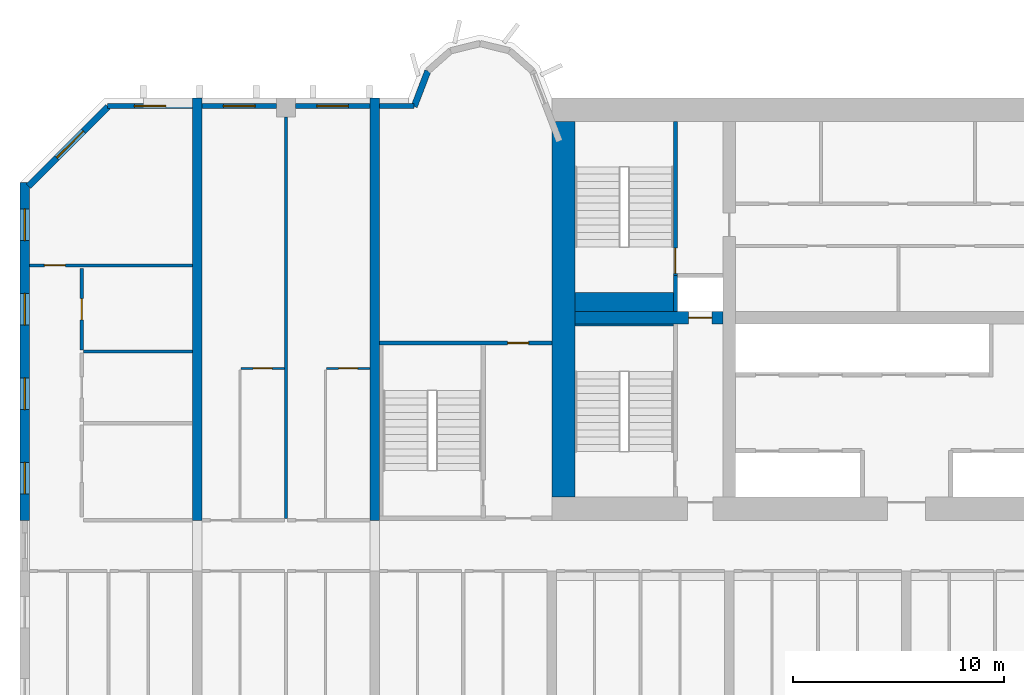
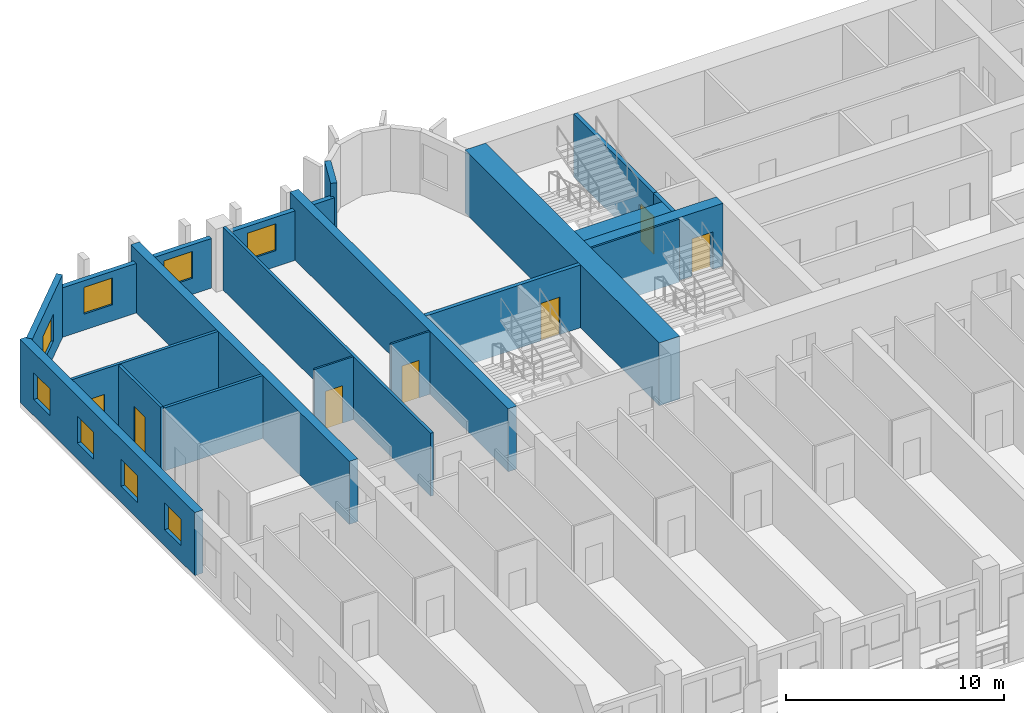
# One storey, part 6 of 14: 22 walls, 8 windows, 7 doors, 15 openings.
"""IFC4 building model written with IfcOpenShell, lengths in metres."""

from ifc_helpers import new_model, si_unit, direction, frame, frame_2d, origin, place, context, subcontext, project, spatial, rectangle, extrude, source, transform, mapped, material, layer, layer_set, type_object, element, fill, save


model = new_model("IFC4")

# Units and contexts
model_context = context("Model", 3, precision=1e-05, world=origin(), true_north=direction((0.0, 1.0)))
body_context = subcontext(model_context, "Body", "Model", "MODEL_VIEW")
ifc_project = project(units=[si_unit("LENGTHUNIT", "METRE"), si_unit("AREAUNIT", "SQUARE_METRE"), si_unit("VOLUMEUNIT", "CUBIC_METRE"), si_unit("PLANEANGLEUNIT", "RADIAN"), si_unit("MASSUNIT", "GRAM", prefix="KILO")], contexts=[model_context])

# Site, building, storey
site_placement = place(None, origin())
site = spatial("IfcSite", under=ifc_project, at=site_placement, CompositionType="ELEMENT")
building_placement = place(site_placement, origin())
building = spatial("IfcBuilding", under=site, at=building_placement, Name="Vanashikhar Sky Hotel", CompositionType="ELEMENT")
storey_placement = place(building_placement, frame((0.0, 0.0, 27.800048828125)))
storey = spatial("IfcBuildingStorey", under=building, at=storey_placement, Name="L05", CompositionType="ELEMENT", Elevation=27.800048828125)

# Wall
ifc_material_1 = material(Name="Concrete M80", Category="concrete")
ifc_layer_1 = layer(ifc_material_1, 1.10009765625)
ifc_layer_set_1 = layer_set([ifc_layer_1], Name="RC core shell wall 1100 Concrete M80")
wall_type_1 = type_object("IfcWallType", Name="RC core shell wall 1100 Concrete M80", PredefinedType="SHEAR", material=ifc_layer_set_1)
shared_shape_1 = source(origin(), body_context, "Body", "SweptSolid", [
    extrude(rectangle(XDim=17.7998046875, YDim=1.10009765625, at=frame_2d((8.89990234375, 0.0))), origin(), (0.0, 0.0, 1.0), 3.52001953125),
])
wall_1_placement = place(storey_placement, frame((25.75, 23.10009765625, 0.0), z_axis=(0.0, 0.0, 1.0), x_axis=(0.0, 1.0, 0.0)))
element("IfcWall", 1, at=wall_1_placement, inside=storey, type_object=wall_type_1, Name="KW-L05-KW", PredefinedType="SHEAR", context=body_context, shape_type="MappedRepresentation", body=[
    mapped(shared_shape_1, transform((0.0, 0.0, 0.0), scale=1.0)),
])

# Wall, opening, door
ifc_layer_2 = layer(ifc_material_1, 0.60009765625)
ifc_layer_set_2 = layer_set([ifc_layer_2], Name="RC core inner wall 600 Concrete M80")
wall_type_2 = type_object("IfcWallType", Name="RC core inner wall 600 Concrete M80", PredefinedType="SHEAR", material=ifc_layer_set_2)
shared_shape_2 = source(origin(), body_context, "Body", "SweptSolid", [
    extrude(rectangle(XDim=7.0, YDim=0.60009765625, at=frame_2d((3.5, 0.0))), origin(), (0.0, 0.0, 1.0), 3.52001953125),
])
wall_2_placement = place(storey_placement, frame((26.300048828125, 31.60009765625, 0.0), z_axis=(0.0, 0.0, 1.0), x_axis=(1.0, 0.0, 0.0)))
wall_2 = element("IfcWall", 2, at=wall_2_placement, inside=storey, type_object=wall_type_2, Name="KW-L05-KY1", PredefinedType="SHEAR", context=body_context, shape_type="MappedRepresentation", body=[
    mapped(shared_shape_2, transform((0.0, 0.0, 0.0), scale=1.0)),
])
shared_shape_3 = source(origin(), body_context, "Body", "SweptSolid", [
    extrude(rectangle(XDim=1.10009765625, YDim=2.10009765625, at=frame_2d((0.550048828125, 1.050048828125))), frame((0.0, 0.31005859375, 0.0), z_axis=(0.0, -1.0, 0.0), x_axis=(1.0, 0.0, 0.0)), (0.0, 0.0, 1.0), 0.6201171875),
])
opening_1_placement = place(wall_2_placement, frame((5.375, 0.0, 0.0)))
opening_1 = element("IfcOpeningElement", 3, at=opening_1_placement, cuts=wall_2, Name="Opening LD", PredefinedType="OPENING", context=body_context, shape_type="MappedRepresentation", body=[
    mapped(shared_shape_3, transform((0.0, 0.0, 0.0), scale=1.0)),
])
ifc_material_2 = material(Name="Stainless steel", Category="steel")
door_type_1 = type_object("IfcDoorType", Name="Lift landing door 1100", OperationType="NOTDEFINED", PredefinedType="DOOR", material=ifc_material_2)
shared_shape_4 = source(origin(), body_context, "Body", "SweptSolid", [
    extrude(rectangle(XDim=1.10009765625, YDim=2.10009765625, at=frame_2d((0.550048828125, 1.050048828125))), frame((0.0, 0.02490234375, 0.0), z_axis=(0.0, -1.0, 0.0), x_axis=(1.0, 0.0, 0.0)), (0.0, 0.0, 1.0), 0.050048828125),
])
door_1_placement = place(opening_1_placement, origin())
door_1 = element("IfcDoor", 4, at=door_1_placement, inside=storey, type_object=door_type_1, Name="Lift landing door 1100", OperationType="SLIDING_TO_RIGHT", OverallHeight=2.10009765625, OverallWidth=1.10009765625, PredefinedType="DOOR", context=body_context, shape_type="MappedRepresentation", body=[
    mapped(shared_shape_4, transform((0.0, 0.0, 0.0), scale=1.0)),
])
fill(opening_1, door_1)

# Wall, openings, windows
ifc_layer_3 = layer(ifc_material_1, 0.449951171875)
ifc_layer_set_3 = layer_set([ifc_layer_3], Name="RC shear wall 450 Concrete M80")
wall_type_3 = type_object("IfcWallType", Name="RC shear wall 450 Concrete M80", PredefinedType="SHEAR", material=ifc_layer_set_3)
shared_shape_5 = source(origin(), body_context, "Body", "SweptSolid", [
    extrude(rectangle(XDim=16.0, YDim=0.449951171875, at=frame_2d((8.0, 0.0))), origin(), (0.0, 0.0, 1.0), 3.52001953125),
])
wall_3_placement = place(storey_placement, frame((0.22509765625, 22.0, 0.0), z_axis=(0.0, 0.0, 1.0), x_axis=(0.0, 1.0, 0.0)))
wall_3 = element("IfcWall", 5, at=wall_3_placement, inside=storey, type_object=wall_type_3, Name="CW-L05-XW01-2", PredefinedType="SHEAR", context=body_context, shape_type="MappedRepresentation", body=[
    mapped(shared_shape_5, transform((0.0, 0.0, 0.0), scale=1.0)),
])
shared_shape_6 = source(origin(), body_context, "Body", "SweptSolid", [
    extrude(rectangle(XDim=1.5, YDim=1.5, at=frame_2d((0.75, 0.75))), frame((0.0, 0.23486328125, 0.0), z_axis=(0.0, -1.0, 0.0), x_axis=(1.0, 0.0, 0.0)), (0.0, 0.0, 1.0), 0.469970703125),
])
opening_2_placement = place(wall_3_placement, frame((1.25, 0.0, 0.89990234375)))
opening_2 = element("IfcOpeningElement", 6, at=opening_2_placement, cuts=wall_3, Name="Opening WN-1", PredefinedType="OPENING", context=body_context, shape_type="MappedRepresentation", body=[
    mapped(shared_shape_6, transform((0.0, 0.0, 0.0), scale=1.0)),
])
opening_3_placement = place(wall_3_placement, frame((5.25, 0.0, 0.89990234375)))
opening_3 = element("IfcOpeningElement", 7, at=opening_3_placement, cuts=wall_3, Name="Opening WN-1", PredefinedType="OPENING", context=body_context, shape_type="MappedRepresentation", body=[
    mapped(shared_shape_6, transform((0.0, 0.0, 0.0), scale=1.0)),
])
opening_4_placement = place(wall_3_placement, frame((9.25, 0.0, 0.89990234375)))
opening_4 = element("IfcOpeningElement", 8, at=opening_4_placement, cuts=wall_3, Name="Opening WN-1", PredefinedType="OPENING", context=body_context, shape_type="MappedRepresentation", body=[
    mapped(shared_shape_6, transform((0.0, 0.0, 0.0), scale=1.0)),
])
opening_5_placement = place(wall_3_placement, frame((13.25, 0.0, 0.89990234375)))
opening_5 = element("IfcOpeningElement", 9, at=opening_5_placement, cuts=wall_3, Name="Opening WN-1", PredefinedType="OPENING", context=body_context, shape_type="MappedRepresentation", body=[
    mapped(shared_shape_6, transform((0.0, 0.0, 0.0), scale=1.0)),
])
ifc_material_3 = material(Name="Glass", Category="glass")
window_type_1 = type_object("IfcWindowType", Name="Window 1500 x 1500", PartitioningType="SINGLE_PANEL", PredefinedType="WINDOW", material=ifc_material_3)
shared_shape_7 = source(origin(), body_context, "Body", "SweptSolid", [
    extrude(rectangle(XDim=1.5, YDim=1.5, at=frame_2d((0.75, 0.75))), frame((0.0, 0.030029296875, 0.0), z_axis=(0.0, -1.0, 0.0), x_axis=(1.0, 0.0, 0.0)), (0.0, 0.0, 1.0), 0.06005859375),
])
window_1_placement = place(opening_2_placement, origin())
window_1 = element("IfcWindow", 10, at=window_1_placement, inside=storey, type_object=window_type_1, Name="Window WN-1", OverallHeight=1.5, OverallWidth=1.5, PartitioningType="SINGLE_PANEL", PredefinedType="WINDOW", context=body_context, shape_type="MappedRepresentation", body=[
    mapped(shared_shape_7, transform((0.0, 0.0, 0.0), scale=1.0)),
])
fill(opening_2, window_1)
window_2_placement = place(opening_3_placement, origin())
window_2 = element("IfcWindow", 11, at=window_2_placement, inside=storey, type_object=window_type_1, Name="Window WN-1", OverallHeight=1.5, OverallWidth=1.5, PartitioningType="SINGLE_PANEL", PredefinedType="WINDOW", context=body_context, shape_type="MappedRepresentation", body=[
    mapped(shared_shape_7, transform((0.0, 0.0, 0.0), scale=1.0)),
])
fill(opening_3, window_2)
window_3_placement = place(opening_4_placement, origin())
window_3 = element("IfcWindow", 12, at=window_3_placement, inside=storey, type_object=window_type_1, Name="Window WN-1", OverallHeight=1.5, OverallWidth=1.5, PartitioningType="SINGLE_PANEL", PredefinedType="WINDOW", context=body_context, shape_type="MappedRepresentation", body=[
    mapped(shared_shape_7, transform((0.0, 0.0, 0.0), scale=1.0)),
])
fill(opening_4, window_3)
window_4_placement = place(opening_5_placement, origin())
window_4 = element("IfcWindow", 13, at=window_4_placement, inside=storey, type_object=window_type_1, Name="Window WN-1", OverallHeight=1.5, OverallWidth=1.5, PartitioningType="SINGLE_PANEL", PredefinedType="WINDOW", context=body_context, shape_type="MappedRepresentation", body=[
    mapped(shared_shape_7, transform((0.0, 0.0, 0.0), scale=1.0)),
])
fill(opening_5, window_4)

# Walls
shared_shape_8 = source(origin(), body_context, "Body", "SweptSolid", [
    extrude(rectangle(XDim=20.0, YDim=0.449951171875, at=frame_2d((10.0, 0.0))), origin(), (0.0, 0.0, 1.0), 3.52001953125),
])
for number, where, z_axis, x_axis, name in (
    (14, (8.39990234375, 22.0, 0.0), (0.0, 0.0, 1.0), (0.0, 1.0, 0.0), "CW-L05-XW02-2"),
    (15, (16.800048828125, 22.0, 0.0), (0.0, 0.0, 1.0), (0.0, 1.0, 0.0), "CW-L05-XW03-2"),
):
    element("IfcWall", number, at=place(storey_placement, frame(where, z_axis=z_axis, x_axis=x_axis)), inside=storey, type_object=wall_type_3, Name=name, PredefinedType="SHEAR", context=body_context, shape_type="MappedRepresentation", body=[
        mapped(shared_shape_8, transform((0.0, 0.0, 0.0), scale=1.0)),
    ])

# Wall, opening, window
ifc_material_4 = material(Name="Concrete M50", Category="concrete")
ifc_layer_4 = layer(ifc_material_4, 0.300048828125)
ifc_layer_set_4 = layer_set([ifc_layer_4], Name="Lobe wall 300")
wall_type_4 = type_object("IfcWallType", Name="Lobe wall 300", PredefinedType="SOLIDWALL", material=ifc_layer_set_4)
shared_shape_9 = source(origin(), body_context, "Body", "SweptSolid", [
    extrude(rectangle(XDim=5.32568359375, YDim=0.300048828125, at=frame_2d((2.662841796875, 0.0))), origin(), (0.0, 0.0, 1.0), 3.52001953125),
])
wall_4_placement = place(storey_placement, frame((4.165771484375, 41.60009765625, 0.0), z_axis=(0.0, 0.0, 1.0), x_axis=(-0.707106781187, -0.707106781187, 0.0)))
wall_4 = element("IfcWall", 16, at=wall_4_placement, inside=storey, type_object=wall_type_4, Name="Corner wall", PredefinedType="SOLIDWALL", context=body_context, shape_type="MappedRepresentation", body=[
    mapped(shared_shape_9, transform((0.0, 0.0, 0.0), scale=1.0)),
])
shared_shape_10 = source(origin(), body_context, "Body", "SweptSolid", [
    extrude(rectangle(XDim=1.800048828125, YDim=1.5, at=frame_2d((0.89990234375, 0.75))), frame((0.0, 0.16015625, 0.0), z_axis=(0.0, -1.0, 0.0), x_axis=(1.0, 0.0, 0.0)), (0.0, 0.0, 1.0), 0.320068359375),
])
opening_6_placement = place(wall_4_placement, frame((1.636474609375, 0.0, 0.89990234375)))
opening_6 = element("IfcOpeningElement", 17, at=opening_6_placement, cuts=wall_4, Name="Opening WN-4", PredefinedType="OPENING", context=body_context, shape_type="MappedRepresentation", body=[
    mapped(shared_shape_10, transform((0.0, 0.0, 0.0), scale=1.0)),
])
window_type_2 = type_object("IfcWindowType", Name="Corner window 1800 x 1500", PartitioningType="SINGLE_PANEL", PredefinedType="WINDOW", material=ifc_material_3)
shared_shape_11 = source(origin(), body_context, "Body", "SweptSolid", [
    extrude(rectangle(XDim=1.800048828125, YDim=1.5, at=frame_2d((0.89990234375, 0.75))), frame((0.0, 0.030029296875, 0.0), z_axis=(0.0, -1.0, 0.0), x_axis=(1.0, 0.0, 0.0)), (0.0, 0.0, 1.0), 0.06005859375),
])
window_5_placement = place(opening_6_placement, origin())
window_5 = element("IfcWindow", 18, at=window_5_placement, inside=storey, type_object=window_type_2, Name="Window WN-4", OverallHeight=1.5, OverallWidth=1.800048828125, PartitioningType="SINGLE_PANEL", PredefinedType="WINDOW", context=body_context, shape_type="MappedRepresentation", body=[
    mapped(shared_shape_11, transform((0.0, 0.0, 0.0), scale=1.0)),
])
fill(opening_6, window_5)

ifc_layer_5 = layer(ifc_material_4, 0.25)
ifc_layer_set_5 = layer_set([ifc_layer_5], Name="Rear and end board-marked wall 250")
wall_type_5 = type_object("IfcWallType", Name="Rear and end board-marked wall 250", PredefinedType="SOLIDWALL", material=ifc_layer_set_5)
shared_shape_12 = source(origin(), body_context, "Body", "SweptSolid", [
    extrude(rectangle(XDim=4.019775390625, YDim=0.25, at=frame_2d((2.009765625, 0.0))), origin(), (0.0, 0.0, 1.0), 2.77001953125),
])
wall_5_placement = place(storey_placement, frame((8.175048828125, 41.625, 0.0), z_axis=(0.0, 0.0, 1.0), x_axis=(-1.0, 0.0, 0.0)))
wall_5 = element("IfcWall", 19, at=wall_5_placement, inside=storey, type_object=wall_type_5, Name="Rear board-marked wall", PredefinedType="SOLIDWALL", context=body_context, shape_type="MappedRepresentation", body=[
    mapped(shared_shape_12, transform((0.0, 0.0, 0.0), scale=1.0)),
])
shared_shape_13 = source(origin(), body_context, "Body", "SweptSolid", [
    extrude(rectangle(XDim=1.5, YDim=1.5, at=frame_2d((0.75, 0.75))), frame((0.0, 0.135009765625, 0.0), z_axis=(0.0, -1.0, 0.0), x_axis=(1.0, 0.0, 0.0)), (0.0, 0.0, 1.0), 0.27001953125),
])
opening_7_placement = place(wall_5_placement, frame((1.260009765625, 0.0, 0.89990234375)))
opening_7 = element("IfcOpeningElement", 20, at=opening_7_placement, cuts=wall_5, Name="Opening WN-1", PredefinedType="OPENING", context=body_context, shape_type="MappedRepresentation", body=[
    mapped(shared_shape_13, transform((0.0, 0.0, 0.0), scale=1.0)),
])
window_6_placement = place(opening_7_placement, origin())
window_6 = element("IfcWindow", 21, at=window_6_placement, inside=storey, type_object=window_type_1, Name="Window WN-1", OverallHeight=1.5, OverallWidth=1.5, PartitioningType="SINGLE_PANEL", PredefinedType="WINDOW", context=body_context, shape_type="MappedRepresentation", body=[
    mapped(shared_shape_7, transform((0.0, 0.0, 0.0), scale=1.0)),
])
fill(opening_7, window_6)

# Wall
shared_shape_14 = source(origin(), body_context, "Body", "SweptSolid", [
    extrude(rectangle(XDim=1.81201171875, YDim=0.300048828125, at=frame_2d((0.906005859375, 0.0))), origin(), (0.0, 0.0, 1.0), 3.52001953125),
])
wall_6_placement = place(storey_placement, frame((19.323486328125, 43.2919921875, 0.0), z_axis=(0.0, 0.0, 1.0), x_axis=(-0.357877270961, -0.93376863244, 0.0)))
element("IfcWall", 22, at=wall_6_placement, inside=storey, type_object=wall_type_4, Name="Lobe wall", PredefinedType="SOLIDWALL", context=body_context, shape_type="MappedRepresentation", body=[
    mapped(shared_shape_14, transform((0.0, 0.0, 0.0), scale=1.0)),
])

# Wall, opening, window
shared_shape_15 = source(origin(), body_context, "Body", "SweptSolid", [
    extrude(rectangle(XDim=3.52490234375, YDim=0.25, at=frame_2d((1.762451171875, 0.0))), origin(), (0.0, 0.0, 1.0), 2.77001953125),
])
wall_7_placement = place(storey_placement, frame((12.14990234375, 41.625, 0.0), z_axis=(0.0, 0.0, 1.0), x_axis=(-1.0, 0.0, 0.0)))
wall_7 = element("IfcWall", 23, at=wall_7_placement, inside=storey, type_object=wall_type_5, Name="Rear board-marked wall", PredefinedType="SOLIDWALL", context=body_context, shape_type="MappedRepresentation", body=[
    mapped(shared_shape_15, transform((0.0, 0.0, 0.0), scale=1.0)),
])
opening_8_placement = place(wall_7_placement, frame((1.012451171875, 0.0, 0.89990234375)))
opening_8 = element("IfcOpeningElement", 24, at=opening_8_placement, cuts=wall_7, Name="Opening WN-1", PredefinedType="OPENING", context=body_context, shape_type="MappedRepresentation", body=[
    mapped(shared_shape_13, transform((0.0, 0.0, 0.0), scale=1.0)),
])
window_7_placement = place(opening_8_placement, origin())
window_7 = element("IfcWindow", 25, at=window_7_placement, inside=storey, type_object=window_type_1, Name="Window WN-1", OverallHeight=1.5, OverallWidth=1.5, PartitioningType="SINGLE_PANEL", PredefinedType="WINDOW", context=body_context, shape_type="MappedRepresentation", body=[
    mapped(shared_shape_7, transform((0.0, 0.0, 0.0), scale=1.0)),
])
fill(opening_8, window_7)

wall_8_placement = place(storey_placement, frame((16.574951171875, 41.625, 0.0), z_axis=(0.0, 0.0, 1.0), x_axis=(-1.0, 0.0, 0.0)))
wall_8 = element("IfcWall", 26, at=wall_8_placement, inside=storey, type_object=wall_type_5, Name="Rear board-marked wall", PredefinedType="SOLIDWALL", context=body_context, shape_type="MappedRepresentation", body=[
    mapped(shared_shape_15, transform((0.0, 0.0, 0.0), scale=1.0)),
])
opening_9_placement = place(wall_8_placement, frame((1.012451171875, 0.0, 0.89990234375)))
opening_9 = element("IfcOpeningElement", 27, at=opening_9_placement, cuts=wall_8, Name="Opening WN-1", PredefinedType="OPENING", context=body_context, shape_type="MappedRepresentation", body=[
    mapped(shared_shape_13, transform((0.0, 0.0, 0.0), scale=1.0)),
])
window_8_placement = place(opening_9_placement, origin())
window_8 = element("IfcWindow", 28, at=window_8_placement, inside=storey, type_object=window_type_1, Name="Window WN-1", OverallHeight=1.5, OverallWidth=1.5, PartitioningType="SINGLE_PANEL", PredefinedType="WINDOW", context=body_context, shape_type="MappedRepresentation", body=[
    mapped(shared_shape_7, transform((0.0, 0.0, 0.0), scale=1.0)),
])
fill(opening_9, window_8)

# Walls
shared_shape_16 = source(origin(), body_context, "Body", "SweptSolid", [
    extrude(rectangle(XDim=1.633056640625, YDim=0.25, at=frame_2d((0.81640625, 0.0))), origin(), (0.0, 0.0, 1.0), 2.77001953125),
])
wall_9_placement = place(storey_placement, frame((18.657958984375, 41.625, 0.0), z_axis=(0.0, 0.0, 1.0), x_axis=(-1.0, 0.0, 0.0)))
element("IfcWall", 29, at=wall_9_placement, inside=storey, type_object=wall_type_5, Name="Rear board-marked wall", PredefinedType="SOLIDWALL", context=body_context, shape_type="MappedRepresentation", body=[
    mapped(shared_shape_16, transform((0.0, 0.0, 0.0), scale=1.0)),
])
ifc_material_5 = material(Name="Concrete M40", Category="concrete")
ifc_layer_6 = layer(ifc_material_5, 0.199951171875)
ifc_layer_set_6 = layer_set([ifc_layer_6], Name="Shaft wall 200")
wall_type_6 = type_object("IfcWallType", Name="Shaft wall 200", PredefinedType="SOLIDWALL", material=ifc_layer_set_6)
shared_shape_17 = source(origin(), body_context, "Body", "SweptSolid", [
    extrude(rectangle(XDim=1.7001953125, YDim=0.199951171875, at=frame_2d((0.85009765625, 0.0))), origin(), (0.0, 0.0, 1.0), 3.52001953125),
])
wall_10_placement = place(storey_placement, frame((31.050048828125, 31.89990234375, 0.0), z_axis=(0.0, 0.0, 1.0), x_axis=(0.0, 1.0, 0.0)))
element("IfcWall", 30, at=wall_10_placement, inside=storey, type_object=wall_type_6, Name="Shaft wall 200", PredefinedType="SOLIDWALL", context=body_context, shape_type="MappedRepresentation", body=[
    mapped(shared_shape_17, transform((0.0, 0.0, 0.0), scale=1.0)),
])

# Wall, opening, door
ifc_layer_7 = layer(ifc_material_4, 0.199951171875)
ifc_layer_set_7 = layer_set([ifc_layer_7], Name="Stair wall 200")
wall_type_7 = type_object("IfcWallType", Name="Stair wall 200", PredefinedType="SOLIDWALL", material=ifc_layer_set_7)
shared_shape_18 = source(origin(), body_context, "Body", "SweptSolid", [
    extrude(rectangle(XDim=7.2998046875, YDim=0.199951171875, at=frame_2d((3.64990234375, 0.0))), origin(), (0.0, 0.0, 1.0), 3.52001953125),
])
wall_11_placement = place(storey_placement, frame((31.050048828125, 33.60009765625, 0.0), z_axis=(0.0, 0.0, 1.0), x_axis=(0.0, 1.0, 0.0)))
wall_11 = element("IfcWall", 31, at=wall_11_placement, inside=storey, type_object=wall_type_7, Name="Stair wall 200", PredefinedType="SOLIDWALL", context=body_context, shape_type="MappedRepresentation", body=[
    mapped(shared_shape_18, transform((0.0, 0.0, 0.0), scale=1.0)),
])
shared_shape_19 = source(origin(), body_context, "Body", "SweptSolid", [
    extrude(rectangle(XDim=1.199951171875, YDim=2.10009765625, at=frame_2d((0.60009765625, 1.050048828125))), frame((0.0, 0.10986328125, 0.0), z_axis=(0.0, -1.0, 0.0), x_axis=(1.0, 0.0, 0.0)), (0.0, 0.0, 1.0), 0.219970703125),
])
opening_10_placement = place(wall_11_placement, frame((0.10009765625, 0.0, 0.0)))
opening_10 = element("IfcOpeningElement", 32, at=opening_10_placement, cuts=wall_11, Name="Opening DC-1", PredefinedType="OPENING", context=body_context, shape_type="MappedRepresentation", body=[
    mapped(shared_shape_19, transform((0.0, 0.0, 0.0), scale=1.0)),
])
ifc_material_6 = material(Name="Steel", Category="steel")
door_type_2 = type_object("IfcDoorType", Name="Stair door 1200 FD120", OperationType="NOTDEFINED", PredefinedType="DOOR", material=ifc_material_6)
shared_shape_20 = source(origin(), body_context, "Body", "SweptSolid", [
    extrude(rectangle(XDim=1.199951171875, YDim=2.10009765625, at=frame_2d((0.60009765625, 1.050048828125))), frame((0.0, 0.02490234375, 0.0), z_axis=(0.0, -1.0, 0.0), x_axis=(1.0, 0.0, 0.0)), (0.0, 0.0, 1.0), 0.050048828125),
])
door_2_placement = place(opening_10_placement, origin())
door_2 = element("IfcDoor", 33, at=door_2_placement, inside=storey, type_object=door_type_2, Name="Stair door 1200 FD120", OperationType="SINGLE_SWING_RIGHT", OverallHeight=2.10009765625, OverallWidth=1.199951171875, PredefinedType="DOOR", context=body_context, shape_type="MappedRepresentation", body=[
    mapped(shared_shape_20, transform((0.0, 0.0, 0.0), scale=1.0)),
])
fill(opening_10, door_2)

shared_shape_21 = source(origin(), body_context, "Body", "SweptSolid", [
    extrude(rectangle(XDim=8.175048828125, YDim=0.199951171875, at=frame_2d((4.08740234375, 0.0))), origin(), (0.0, 0.0, 1.0), 3.52001953125),
])
wall_12_placement = place(storey_placement, frame((17.02490234375, 30.39990234375, 0.0), z_axis=(0.0, 0.0, 1.0), x_axis=(1.0, 0.0, 0.0)))
wall_12 = element("IfcWall", 34, at=wall_12_placement, inside=storey, type_object=wall_type_7, Name="Stair wall 200", PredefinedType="SOLIDWALL", context=body_context, shape_type="MappedRepresentation", body=[
    mapped(shared_shape_21, transform((0.0, 0.0, 0.0), scale=1.0)),
])
shared_shape_22 = source(origin(), body_context, "Body", "SweptSolid", [
    extrude(rectangle(XDim=1.0, YDim=2.10009765625, at=frame_2d((0.5, 1.050048828125))), frame((0.0, 0.10986328125, 0.0), z_axis=(0.0, -1.0, 0.0), x_axis=(1.0, 0.0, 0.0)), (0.0, 0.0, 1.0), 0.219970703125),
])
opening_11_placement = place(wall_12_placement, frame((6.074951171875, 0.0, 0.0)))
opening_11 = element("IfcOpeningElement", 35, at=opening_11_placement, cuts=wall_12, Name="Opening DC-6", PredefinedType="OPENING", context=body_context, shape_type="MappedRepresentation", body=[
    mapped(shared_shape_22, transform((0.0, 0.0, 0.0), scale=1.0)),
])
door_type_3 = type_object("IfcDoorType", Name="Pocket door 1000 FD60", OperationType="NOTDEFINED", PredefinedType="DOOR", material=ifc_material_6)
shared_shape_23 = source(origin(), body_context, "Body", "SweptSolid", [
    extrude(rectangle(XDim=1.0, YDim=2.10009765625, at=frame_2d((0.5, 1.050048828125))), frame((0.0, 0.02490234375, 0.0), z_axis=(0.0, -1.0, 0.0), x_axis=(1.0, 0.0, 0.0)), (0.0, 0.0, 1.0), 0.050048828125),
])
door_3_placement = place(opening_11_placement, origin())
door_3 = element("IfcDoor", 36, at=door_3_placement, inside=storey, type_object=door_type_3, Name="Pocket door 1000 FD60", OperationType="SINGLE_SWING_RIGHT", OverallHeight=2.10009765625, OverallWidth=1.0, PredefinedType="DOOR", context=body_context, shape_type="MappedRepresentation", body=[
    mapped(shared_shape_23, transform((0.0, 0.0, 0.0), scale=1.0)),
])
fill(opening_11, door_3)

# Walls
ifc_layer_8 = layer(ifc_material_4, 0.10009765625)
ifc_layer_set_8 = layer_set([ifc_layer_8], Name="Stair infill wall 100")
wall_type_8 = type_object("IfcWallType", Name="Stair infill wall 100", PredefinedType="SOLIDWALL", material=ifc_layer_set_8)
shared_shape_24 = source(origin(), body_context, "Body", "SweptSolid", [
    extrude(rectangle(XDim=4.64990234375, YDim=0.10009765625, at=frame_2d((2.324951171875, 0.0))), origin(), (0.0, 0.0, 1.0), 3.52001953125),
])
wall_13_placement = place(storey_placement, frame((26.300048828125, 31.25, 0.0), z_axis=(0.0, 0.0, 1.0), x_axis=(1.0, 0.0, 0.0)))
element("IfcWall", 37, at=wall_13_placement, inside=storey, type_object=wall_type_8, Name="Stair infill wall 100", PredefinedType="SOLIDWALL", context=body_context, shape_type="MappedRepresentation", body=[
    mapped(shared_shape_24, transform((0.0, 0.0, 0.0), scale=1.0)),
])
ifc_layer_9 = layer(ifc_material_4, 0.89990234375)
ifc_layer_set_9 = layer_set([ifc_layer_9], Name="Stair infill wall 900")
wall_type_9 = type_object("IfcWallType", Name="Stair infill wall 900", PredefinedType="SOLIDWALL", material=ifc_layer_set_9)
shared_shape_25 = source(origin(), body_context, "Body", "SweptSolid", [
    extrude(rectangle(XDim=4.64990234375, YDim=0.89990234375, at=frame_2d((2.324951171875, 0.0))), origin(), (0.0, 0.0, 1.0), 3.52001953125),
])
wall_14_placement = place(storey_placement, frame((26.300048828125, 32.35009765625, 0.0), z_axis=(0.0, 0.0, 1.0), x_axis=(1.0, 0.0, 0.0)))
element("IfcWall", 38, at=wall_14_placement, inside=storey, type_object=wall_type_9, Name="Stair infill wall 900", PredefinedType="SOLIDWALL", context=body_context, shape_type="MappedRepresentation", body=[
    mapped(shared_shape_25, transform((0.0, 0.0, 0.0), scale=1.0)),
])

# Wall, opening, door
ifc_material_7 = material(Name="Gypsum plasterboard partition")
ifc_layer_10 = layer(ifc_material_7, 0.10009765625)
ifc_layer_set_10 = layer_set([ifc_layer_10], Name="Wet room partition 100")
wall_type_10 = type_object("IfcWallType", Name="Wet room partition 100", PredefinedType="PARTITIONING", material=ifc_layer_set_10)
shared_shape_26 = source(origin(), body_context, "Body", "SweptSolid", [
    extrude(rectangle(XDim=2.050048828125, YDim=0.10009765625, at=frame_2d((1.02490234375, 0.0))), origin(), (0.0, 0.0, 1.0), 3.52001953125),
])
wall_15_placement = place(storey_placement, frame((14.52490234375, 29.199951171875, 0.0), z_axis=(0.0, 0.0, 1.0), x_axis=(1.0, 0.0, 0.0)))
wall_15 = element("IfcWall", 39, at=wall_15_placement, inside=storey, type_object=wall_type_10, Name="W-L05-PW098", PredefinedType="PARTITIONING", context=body_context, shape_type="MappedRepresentation", body=[
    mapped(shared_shape_26, transform((0.0, 0.0, 0.0), scale=1.0)),
])
shared_shape_27 = source(origin(), body_context, "Body", "SweptSolid", [
    extrude(rectangle(XDim=0.89990234375, YDim=2.10009765625, at=frame_2d((0.449951171875, 1.050048828125))), frame((0.0, 0.06005859375, 0.0), z_axis=(0.0, -1.0, 0.0), x_axis=(1.0, 0.0, 0.0)), (0.0, 0.0, 1.0), 0.1201171875),
])
opening_12_placement = place(wall_15_placement, frame((0.574951171875, 0.0, 0.0)))
opening_12 = element("IfcOpeningElement", 40, at=opening_12_placement, cuts=wall_15, Name="Opening D-02", PredefinedType="OPENING", context=body_context, shape_type="MappedRepresentation", body=[
    mapped(shared_shape_27, transform((0.0, 0.0, 0.0), scale=1.0)),
])
ifc_material_8 = material(Name="Timber door", Category="wood")
door_type_4 = type_object("IfcDoorType", Name="Internal door 900", OperationType="NOTDEFINED", PredefinedType="DOOR", material=ifc_material_8)
shared_shape_28 = source(origin(), body_context, "Body", "SweptSolid", [
    extrude(rectangle(XDim=0.89990234375, YDim=2.10009765625, at=frame_2d((0.449951171875, 1.050048828125))), frame((0.0, 0.02490234375, 0.0), z_axis=(0.0, -1.0, 0.0), x_axis=(1.0, 0.0, 0.0)), (0.0, 0.0, 1.0), 0.050048828125),
])
door_4_placement = place(opening_12_placement, origin())
door_4 = element("IfcDoor", 41, at=door_4_placement, inside=storey, type_object=door_type_4, Name="D-L05-055", OperationType="SINGLE_SWING_LEFT", OverallHeight=2.10009765625, OverallWidth=0.89990234375, PredefinedType="DOOR", context=body_context, shape_type="MappedRepresentation", body=[
    mapped(shared_shape_28, transform((0.0, 0.0, 0.0), scale=1.0)),
])
fill(opening_12, door_4)

shared_shape_29 = source(origin(), body_context, "Body", "SweptSolid", [
    extrude(rectangle(XDim=2.0498046875, YDim=0.10009765625, at=frame_2d((1.02490234375, 0.0))), origin(), (0.0, 0.0, 1.0), 3.52001953125),
])
wall_16_placement = place(storey_placement, frame((10.47509765625, 29.199951171875, 0.0), z_axis=(0.0, 0.0, 1.0), x_axis=(1.0, 0.0, 0.0)))
wall_16 = element("IfcWall", 42, at=wall_16_placement, inside=storey, type_object=wall_type_10, Name="W-L05-PW095", PredefinedType="PARTITIONING", context=body_context, shape_type="MappedRepresentation", body=[
    mapped(shared_shape_29, transform((0.0, 0.0, 0.0), scale=1.0)),
])
opening_13_placement = place(wall_16_placement, frame((0.574951171875, 0.0, 0.0)))
opening_13 = element("IfcOpeningElement", 43, at=opening_13_placement, cuts=wall_16, Name="Opening D-02", PredefinedType="OPENING", context=body_context, shape_type="MappedRepresentation", body=[
    mapped(shared_shape_27, transform((0.0, 0.0, 0.0), scale=1.0)),
])
door_5_placement = place(opening_13_placement, origin())
door_5 = element("IfcDoor", 44, at=door_5_placement, inside=storey, type_object=door_type_4, Name="D-L05-053", OperationType="SINGLE_SWING_LEFT", OverallHeight=2.10009765625, OverallWidth=0.89990234375, PredefinedType="DOOR", context=body_context, shape_type="MappedRepresentation", body=[
    mapped(shared_shape_28, transform((0.0, 0.0, 0.0), scale=1.0)),
])
fill(opening_13, door_5)

# Wall
ifc_layer_11 = layer(ifc_material_7, 0.14990234375)
ifc_layer_set_11 = layer_set([ifc_layer_11], Name="Corridor and demising partition 150")
wall_type_11 = type_object("IfcWallType", Name="Corridor and demising partition 150", PredefinedType="PARTITIONING", material=ifc_layer_set_11)
shared_shape_30 = source(origin(), body_context, "Body", "SweptSolid", [
    extrude(rectangle(XDim=5.175048828125, YDim=0.14990234375, at=frame_2d((2.58740234375, 0.0))), origin(), (0.0, 0.0, 1.0), 3.52001953125),
])
wall_17_placement = place(storey_placement, frame((3.0, 30.0, 0.0), z_axis=(0.0, 0.0, 1.0), x_axis=(1.0, 0.0, 0.0)))
element("IfcWall", 45, at=wall_17_placement, inside=storey, type_object=wall_type_11, Name="W-L05-PW091", PredefinedType="PARTITIONING", context=body_context, shape_type="MappedRepresentation", body=[
    mapped(shared_shape_30, transform((0.0, 0.0, 0.0), scale=1.0)),
])

# Wall, opening, door
shared_shape_31 = source(origin(), body_context, "Body", "SweptSolid", [
    extrude(rectangle(XDim=3.85009765625, YDim=0.14990234375, at=frame_2d((1.925048828125, 0.0))), origin(), (0.0, 0.0, 1.0), 3.52001953125),
])
wall_18_placement = place(storey_placement, frame((2.925048828125, 30.074951171875, 0.0), z_axis=(0.0, 0.0, 1.0), x_axis=(0.0, 1.0, 0.0)))
wall_18 = element("IfcWall", 46, at=wall_18_placement, inside=storey, type_object=wall_type_11, Name="W-L05-PW092", PredefinedType="PARTITIONING", context=body_context, shape_type="MappedRepresentation", body=[
    mapped(shared_shape_31, transform((0.0, 0.0, 0.0), scale=1.0)),
])
shared_shape_32 = source(origin(), body_context, "Body", "SweptSolid", [
    extrude(rectangle(XDim=1.0, YDim=2.10009765625, at=frame_2d((0.5, 1.050048828125))), frame((0.0, 0.0849609375, 0.0), z_axis=(0.0, -1.0, 0.0), x_axis=(1.0, 0.0, 0.0)), (0.0, 0.0, 1.0), 0.169921875),
])
opening_14_placement = place(wall_18_placement, frame((1.425048828125, 0.0, 0.0)))
opening_14 = element("IfcOpeningElement", 47, at=opening_14_placement, cuts=wall_18, Name="Opening D-01", PredefinedType="OPENING", context=body_context, shape_type="MappedRepresentation", body=[
    mapped(shared_shape_32, transform((0.0, 0.0, 0.0), scale=1.0)),
])
ifc_material_9 = material(Name="Timber fire door", Category="wood")
door_type_5 = type_object("IfcDoorType", Name="Guest entry door 1000 FD30S", OperationType="NOTDEFINED", PredefinedType="DOOR", material=ifc_material_9)
door_6_placement = place(opening_14_placement, origin())
door_6 = element("IfcDoor", 48, at=door_6_placement, inside=storey, type_object=door_type_5, Name="D-L05-051", OperationType="SINGLE_SWING_LEFT", OverallHeight=2.10009765625, OverallWidth=1.0, PredefinedType="DOOR", context=body_context, shape_type="MappedRepresentation", body=[
    mapped(shared_shape_23, transform((0.0, 0.0, 0.0), scale=1.0)),
])
fill(opening_14, door_6)

shared_shape_33 = source(origin(), body_context, "Body", "SweptSolid", [
    extrude(rectangle(XDim=7.72509765625, YDim=0.14990234375, at=frame_2d((3.862548828125, 0.0))), origin(), (0.0, 0.0, 1.0), 3.52001953125),
])
wall_19_placement = place(storey_placement, frame((0.449951171875, 34.074951171875, 0.0), z_axis=(0.0, 0.0, 1.0), x_axis=(1.0, 0.0, 0.0)))
wall_19 = element("IfcWall", 49, at=wall_19_placement, inside=storey, type_object=wall_type_11, Name="W-L05-PW093", PredefinedType="PARTITIONING", context=body_context, shape_type="MappedRepresentation", body=[
    mapped(shared_shape_33, transform((0.0, 0.0, 0.0), scale=1.0)),
])
opening_15_placement = place(wall_19_placement, frame((0.699951171875, 0.0, 0.0)))
opening_15 = element("IfcOpeningElement", 50, at=opening_15_placement, cuts=wall_19, Name="Opening D-01", PredefinedType="OPENING", context=body_context, shape_type="MappedRepresentation", body=[
    mapped(shared_shape_32, transform((0.0, 0.0, 0.0), scale=1.0)),
])
door_7_placement = place(opening_15_placement, origin())
door_7 = element("IfcDoor", 51, at=door_7_placement, inside=storey, type_object=door_type_5, Name="D-L05-052", OperationType="SINGLE_SWING_LEFT", OverallHeight=2.10009765625, OverallWidth=1.0, PredefinedType="DOOR", context=body_context, shape_type="MappedRepresentation", body=[
    mapped(shared_shape_23, transform((0.0, 0.0, 0.0), scale=1.0)),
])
fill(opening_15, door_7)

# Wall
shared_shape_34 = source(origin(), body_context, "Body", "SweptSolid", [
    extrude(rectangle(XDim=19.025146484375, YDim=0.14990234375, at=frame_2d((9.5126953125, 0.0))), origin(), (0.0, 0.0, 1.0), 3.52001953125),
])
wall_20_placement = place(storey_placement, frame((12.60009765625, 22.074951171875, 0.0), z_axis=(0.0, 0.0, 1.0), x_axis=(0.0, 1.0, 0.0)))
element("IfcWall", 52, at=wall_20_placement, inside=storey, type_object=wall_type_11, Name="W-L05-PW100", PredefinedType="PARTITIONING", context=body_context, shape_type="MappedRepresentation", body=[
    mapped(shared_shape_34, transform((0.0, 0.0, 0.0), scale=1.0)),
])

save(model, "model.ifc")
